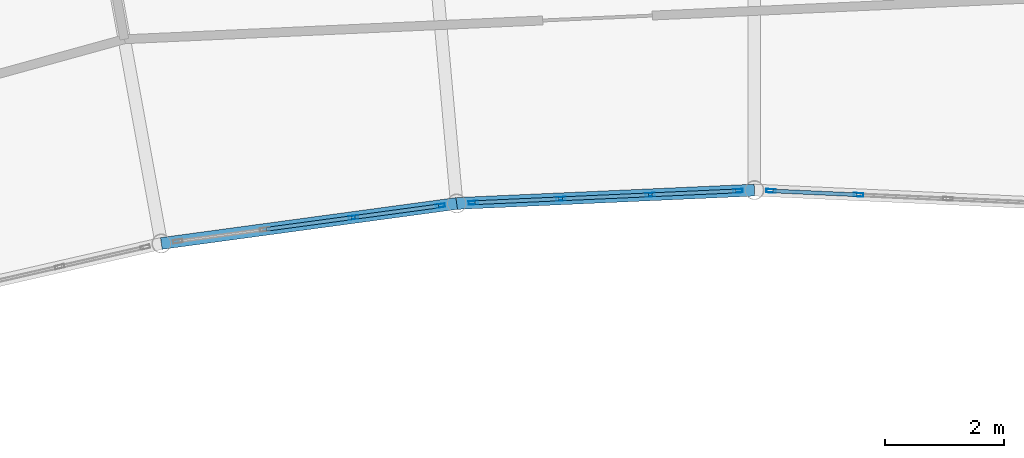
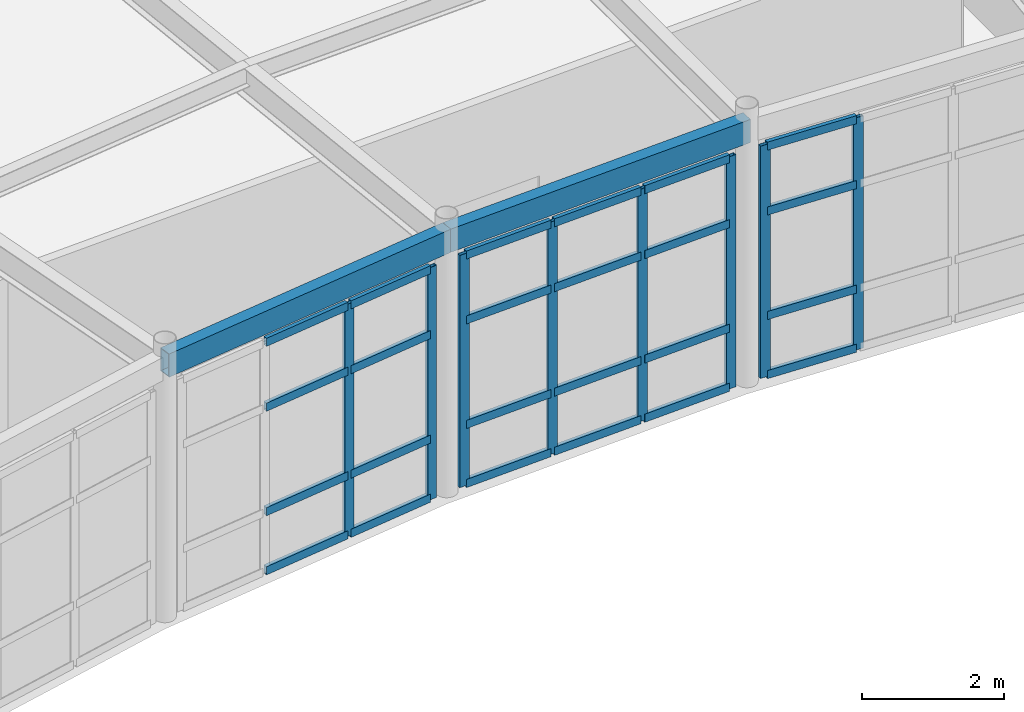
# One storey, part 71 of 116: 32 members, 2 beams, 3 elements without a shape of their own.
"""IFC4 building model written with IfcOpenShell, lengths in metres."""

from ifc_helpers import new_model, si_unit, direction, frame, origin, origin_2d, place, context, subcontext, project, spatial, hollow_rectangle, extrude, material, layer, layer_set, material_profile, profile_set, type_object, element, aggregate, save


model = new_model("IFC4")

# Units and contexts
model_context = context("Model", 3, precision=1e-05, world=origin(), true_north=direction((0.0, 1.0)))
body_context = subcontext(model_context, "Body", "Model", "MODEL_VIEW")
ifc_project = project(units=[si_unit("LENGTHUNIT", "METRE"), si_unit("AREAUNIT", "SQUARE_METRE"), si_unit("VOLUMEUNIT", "CUBIC_METRE"), si_unit("PLANEANGLEUNIT", "RADIAN"), si_unit("MASSUNIT", "GRAM", prefix="KILO")], contexts=[model_context])

# Site, building, storey
site_placement = place(None, origin())
site = spatial("IfcSite", under=ifc_project, at=site_placement, CompositionType="ELEMENT")
building_placement = place(site_placement, origin())
building = spatial("IfcBuilding", under=site, at=building_placement, Name="Selat Folded Stagehouse", CompositionType="ELEMENT")
storey_placement = place(building_placement, frame((0.0, 0.0, 5.39990234375)))
storey = spatial("IfcBuildingStorey", under=building, at=storey_placement, Name="L01", CompositionType="ELEMENT", Elevation=5.39990234375)

# Curtain wall, members
ifc_material_1 = material(Name="Aluminium 6063-T6", Category="aluminium")
ifc_layer = layer(ifc_material_1, 0.18994140625)
ifc_layer_set = layer_set([ifc_layer], Name="Aluminium 6063-T6")
curtain_wall_type = type_object("IfcCurtainWallType", Name="CW-REH-ARC", PredefinedType="NOTDEFINED", material=ifc_layer_set)
curtain_wall_1_placement = place(storey_placement, origin())
curtain_wall_1 = element("IfcCurtainWall", 1, at=curtain_wall_1_placement, inside=storey, type_object=curtain_wall_type, Name="L01 curtain wall CW-REH-L01-05", PredefinedType="NOTDEFINED")
ifc_material_profile_1 = material_profile(ifc_material_1, hollow_rectangle(XDim=0.06005859375, YDim=0.159912109375, WallThickness=0.00390625, at=origin_2d()), Name="ALU 160x60x4.0")
ifc_profile_set_1 = profile_set([ifc_material_profile_1], Name="Aluminium 6063-T6")
member_type_1 = type_object("IfcMemberType", Name="CWM-MUL-160x60", PredefinedType="MULLION", material=ifc_profile_set_1)
member_1_placement = place(storey_placement, frame((87.102783203125, 93.737060546875, 0.0), z_axis=(0.0, 0.0, 1.0), x_axis=(0.134211766018, -0.990952673876, 0.0)))
member_1 = element("IfcMember", 2, at=member_1_placement, type_object=member_type_1, Name="CW-06 mullion 1", PredefinedType="MULLION", context=body_context, shape_type="SweptSolid", body=[
    extrude(hollow_rectangle(XDim=0.06005859375, YDim=0.159912109375, WallThickness=0.00390625, at=origin_2d()), origin(), (0.0, 0.0, 1.0), 4.0),
])
member_2_placement = place(storey_placement, frame((85.637939453125, 93.53857421875, 0.0), z_axis=(0.0, 0.0, 1.0), x_axis=(0.134211766018, -0.990952673876, 0.0)))
member_2 = element("IfcMember", 3, at=member_2_placement, type_object=member_type_1, Name="CW-06 mullion 2", PredefinedType="MULLION", context=body_context, shape_type="SweptSolid", body=[
    extrude(hollow_rectangle(XDim=0.06005859375, YDim=0.159912109375, WallThickness=0.00390625, at=origin_2d()), origin(), (0.0, 0.0, 1.0), 4.0),
])

curtain_wall_2_placement = place(storey_placement, origin())
curtain_wall_2 = element("IfcCurtainWall", 4, at=curtain_wall_2_placement, inside=storey, type_object=curtain_wall_type, Name="L01 curtain wall CW-REH-L01-06", PredefinedType="NOTDEFINED")
member_3_placement = place(storey_placement, frame((92.120361328125, 93.987548828125, 0.0), z_axis=(0.0, 0.0, 1.0), x_axis=(0.044862316478, -0.998993179436, 0.0)))
member_3 = element("IfcMember", 5, at=member_3_placement, type_object=member_type_1, Name="CW-06 mullion 1", PredefinedType="MULLION", context=body_context, shape_type="SweptSolid", body=[
    extrude(hollow_rectangle(XDim=0.06005859375, YDim=0.159912109375, WallThickness=0.00390625, at=origin_2d()), origin(), (0.0, 0.0, 1.0), 4.0),
])
member_4_placement = place(storey_placement, frame((90.6435546875, 93.921142578125, 0.0), z_axis=(0.0, 0.0, 1.0), x_axis=(0.044862316478, -0.998993179436, 0.0)))
member_4 = element("IfcMember", 6, at=member_4_placement, type_object=member_type_1, Name="CW-06 mullion 2", PredefinedType="MULLION", context=body_context, shape_type="SweptSolid", body=[
    extrude(hollow_rectangle(XDim=0.06005859375, YDim=0.159912109375, WallThickness=0.00390625, at=origin_2d()), origin(), (0.0, 0.0, 1.0), 4.0),
])
member_5_placement = place(storey_placement, frame((89.13671875, 93.853515625, 0.0), z_axis=(0.0, 0.0, 1.0), x_axis=(0.044862316478, -0.998993179436, 0.0)))
member_5 = element("IfcMember", 7, at=member_5_placement, type_object=member_type_1, Name="CW-06 mullion 3", PredefinedType="MULLION", context=body_context, shape_type="SweptSolid", body=[
    extrude(hollow_rectangle(XDim=0.06005859375, YDim=0.159912109375, WallThickness=0.00390625, at=origin_2d()), origin(), (0.0, 0.0, 1.0), 4.0),
])
member_6_placement = place(storey_placement, frame((87.659912109375, 93.787109375, 0.0), z_axis=(0.0, 0.0, 1.0), x_axis=(0.044862316478, -0.998993179436, 0.0)))
member_6 = element("IfcMember", 8, at=member_6_placement, type_object=member_type_1, Name="CW-06 mullion 4", PredefinedType="MULLION", context=body_context, shape_type="SweptSolid", body=[
    extrude(hollow_rectangle(XDim=0.06005859375, YDim=0.159912109375, WallThickness=0.00390625, at=origin_2d()), origin(), (0.0, 0.0, 1.0), 4.0),
])

curtain_wall_3_placement = place(storey_placement, origin())
curtain_wall_3 = element("IfcCurtainWall", 9, at=curtain_wall_3_placement, inside=storey, type_object=curtain_wall_type, Name="L01 curtain wall CW-REH-L01-07", PredefinedType="NOTDEFINED")
member_7_placement = place(storey_placement, frame((94.156494140625, 93.921142578125, 0.0), z_axis=(0.0, 0.0, 1.0), x_axis=(-0.044862316478, -0.998993179436, 0.0)))
member_7 = element("IfcMember", 10, at=member_7_placement, type_object=member_type_1, Name="CW-06 mullion 3", PredefinedType="MULLION", context=body_context, shape_type="SweptSolid", body=[
    extrude(hollow_rectangle(XDim=0.06005859375, YDim=0.159912109375, WallThickness=0.00390625, at=origin_2d()), origin(), (0.0, 0.0, 1.0), 4.0),
])
member_8_placement = place(storey_placement, frame((92.6796875, 93.987548828125, 0.0), z_axis=(0.0, 0.0, 1.0), x_axis=(-0.044862316478, -0.998993179436, 0.0)))
member_8 = element("IfcMember", 11, at=member_8_placement, type_object=member_type_1, Name="CW-06 mullion 4", PredefinedType="MULLION", context=body_context, shape_type="SweptSolid", body=[
    extrude(hollow_rectangle(XDim=0.06005859375, YDim=0.159912109375, WallThickness=0.00390625, at=origin_2d()), origin(), (0.0, 0.0, 1.0), 4.0),
])

# Member
ifc_material_profile_2 = material_profile(ifc_material_1, hollow_rectangle(XDim=0.06494140625, YDim=0.139892578125, WallThickness=0.00390625, at=origin_2d()), Name="ALU 140x65x4.0")
ifc_profile_set_2 = profile_set([ifc_material_profile_2], Name="Aluminium 6063-T6")
member_type_2 = type_object("IfcMemberType", Name="CWM-TRN-140x65", PredefinedType="USERDEFINED", material=ifc_profile_set_2)
member_9_placement = place(storey_placement, frame((87.072998046875, 93.73291015625, 0.03271484375), z_axis=(-0.990946066769, -0.134260540573, 0.0), x_axis=(0.134260540573, -0.990946066769, 0.0)))
member_9 = element("IfcMember", 12, at=member_9_placement, type_object=member_type_2, Name="CW-06 transom 1.1", ObjectType="TRANSOM", PredefinedType="USERDEFINED", context=body_context, shape_type="SweptSolid", body=[
    extrude(hollow_rectangle(XDim=0.06494140625, YDim=0.139892578125, WallThickness=0.00390625, at=origin_2d()), origin(), (0.0, 0.0, 1.0), 1.41845703125),
])

member_10_placement = place(storey_placement, frame((87.072998046875, 93.73291015625, 1.050048828125), z_axis=(-0.990946066769, -0.134260540573, 0.0), x_axis=(0.134260540573, -0.990946066769, 0.0)))
member_10 = element("IfcMember", 13, at=member_10_placement, type_object=member_type_2, Name="CW-06 transom 1.2", ObjectType="TRANSOM", PredefinedType="USERDEFINED", context=body_context, shape_type="SweptSolid", body=[
    extrude(hollow_rectangle(XDim=0.06494140625, YDim=0.139892578125, WallThickness=0.00390625, at=origin_2d()), origin(), (0.0, 0.0, 1.0), 1.41845703125),
])

member_11_placement = place(storey_placement, frame((87.072998046875, 93.73291015625, 2.85009765625), z_axis=(-0.990946066769, -0.134260540573, 0.0), x_axis=(0.134260540573, -0.990946066769, 0.0)))
member_11 = element("IfcMember", 14, at=member_11_placement, type_object=member_type_2, Name="CW-06 transom 1.3", ObjectType="TRANSOM", PredefinedType="USERDEFINED", context=body_context, shape_type="SweptSolid", body=[
    extrude(hollow_rectangle(XDim=0.06494140625, YDim=0.139892578125, WallThickness=0.00390625, at=origin_2d()), origin(), (0.0, 0.0, 1.0), 1.41845703125),
])

member_12_placement = place(storey_placement, frame((87.072998046875, 93.73291015625, 3.967529296875), z_axis=(-0.990946066769, -0.134260540573, 0.0), x_axis=(0.134260540573, -0.990946066769, 0.0)))
member_12 = element("IfcMember", 15, at=member_12_placement, type_object=member_type_2, Name="CW-06 transom 1.4", ObjectType="TRANSOM", PredefinedType="USERDEFINED", context=body_context, shape_type="SweptSolid", body=[
    extrude(hollow_rectangle(XDim=0.06494140625, YDim=0.139892578125, WallThickness=0.00390625, at=origin_2d()), origin(), (0.0, 0.0, 1.0), 1.41845703125),
])

member_13_placement = place(storey_placement, frame((85.608154296875, 93.534423828125, 0.03271484375), z_axis=(-0.990957936125, -0.134172906473, 0.0), x_axis=(0.134172906473, -0.990957936125, 0.0)))
member_13 = element("IfcMember", 16, at=member_13_placement, type_object=member_type_2, Name="CW-06 transom 2.1", ObjectType="TRANSOM", PredefinedType="USERDEFINED", context=body_context, shape_type="SweptSolid", body=[
    extrude(hollow_rectangle(XDim=0.06494140625, YDim=0.139892578125, WallThickness=0.00390625, at=origin_2d()), origin(), (0.0, 0.0, 1.0), 1.448486328125),
])

member_14_placement = place(storey_placement, frame((85.608154296875, 93.534423828125, 1.050048828125), z_axis=(-0.990957936125, -0.134172906473, 0.0), x_axis=(0.134172906473, -0.990957936125, 0.0)))
member_14 = element("IfcMember", 17, at=member_14_placement, type_object=member_type_2, Name="CW-06 transom 2.2", ObjectType="TRANSOM", PredefinedType="USERDEFINED", context=body_context, shape_type="SweptSolid", body=[
    extrude(hollow_rectangle(XDim=0.06494140625, YDim=0.139892578125, WallThickness=0.00390625, at=origin_2d()), origin(), (0.0, 0.0, 1.0), 1.448486328125),
])

member_15_placement = place(storey_placement, frame((85.608154296875, 93.534423828125, 2.85009765625), z_axis=(-0.990957936125, -0.134172906473, 0.0), x_axis=(0.134172906473, -0.990957936125, 0.0)))
member_15 = element("IfcMember", 18, at=member_15_placement, type_object=member_type_2, Name="CW-06 transom 2.3", ObjectType="TRANSOM", PredefinedType="USERDEFINED", context=body_context, shape_type="SweptSolid", body=[
    extrude(hollow_rectangle(XDim=0.06494140625, YDim=0.139892578125, WallThickness=0.00390625, at=origin_2d()), origin(), (0.0, 0.0, 1.0), 1.448486328125),
])

member_16_placement = place(storey_placement, frame((85.608154296875, 93.534423828125, 3.967529296875), z_axis=(-0.990957936125, -0.134172906473, 0.0), x_axis=(0.134172906473, -0.990957936125, 0.0)))
member_16 = element("IfcMember", 19, at=member_16_placement, type_object=member_type_2, Name="CW-06 transom 2.4", ObjectType="TRANSOM", PredefinedType="USERDEFINED", context=body_context, shape_type="SweptSolid", body=[
    extrude(hollow_rectangle(XDim=0.06494140625, YDim=0.139892578125, WallThickness=0.00390625, at=origin_2d()), origin(), (0.0, 0.0, 1.0), 1.448486328125),
])

aggregate(curtain_wall_1, [member_1, member_2, member_9, member_10, member_11, member_12, member_13, member_14, member_15, member_16])

member_17_placement = place(storey_placement, frame((92.09033203125, 93.986083984375, 0.03271484375), z_axis=(-0.998990078576, -0.044931313202, 0.0), x_axis=(0.044931313202, -0.998990078576, 0.0)))
member_17 = element("IfcMember", 20, at=member_17_placement, type_object=member_type_2, Name="CW-06 transom 1.1", ObjectType="TRANSOM", PredefinedType="USERDEFINED", context=body_context, shape_type="SweptSolid", body=[
    extrude(hollow_rectangle(XDim=0.06494140625, YDim=0.139892578125, WallThickness=0.00390625, at=origin_2d()), origin(), (0.0, 0.0, 1.0), 1.418212890625),
])

member_18_placement = place(storey_placement, frame((92.09033203125, 93.986083984375, 1.050048828125), z_axis=(-0.998990078576, -0.044931313202, 0.0), x_axis=(0.044931313202, -0.998990078576, 0.0)))
member_18 = element("IfcMember", 21, at=member_18_placement, type_object=member_type_2, Name="CW-06 transom 1.2", ObjectType="TRANSOM", PredefinedType="USERDEFINED", context=body_context, shape_type="SweptSolid", body=[
    extrude(hollow_rectangle(XDim=0.06494140625, YDim=0.139892578125, WallThickness=0.00390625, at=origin_2d()), origin(), (0.0, 0.0, 1.0), 1.418212890625),
])

member_19_placement = place(storey_placement, frame((92.09033203125, 93.986083984375, 2.85009765625), z_axis=(-0.998990078576, -0.044931313202, 0.0), x_axis=(0.044931313202, -0.998990078576, 0.0)))
member_19 = element("IfcMember", 22, at=member_19_placement, type_object=member_type_2, Name="CW-06 transom 1.3", ObjectType="TRANSOM", PredefinedType="USERDEFINED", context=body_context, shape_type="SweptSolid", body=[
    extrude(hollow_rectangle(XDim=0.06494140625, YDim=0.139892578125, WallThickness=0.00390625, at=origin_2d()), origin(), (0.0, 0.0, 1.0), 1.418212890625),
])

member_20_placement = place(storey_placement, frame((92.09033203125, 93.986083984375, 3.967529296875), z_axis=(-0.998990078576, -0.044931313202, 0.0), x_axis=(0.044931313202, -0.998990078576, 0.0)))
member_20 = element("IfcMember", 23, at=member_20_placement, type_object=member_type_2, Name="CW-06 transom 1.4", ObjectType="TRANSOM", PredefinedType="USERDEFINED", context=body_context, shape_type="SweptSolid", body=[
    extrude(hollow_rectangle(XDim=0.06494140625, YDim=0.139892578125, WallThickness=0.00390625, at=origin_2d()), origin(), (0.0, 0.0, 1.0), 1.418212890625),
])

member_21_placement = place(storey_placement, frame((90.613525390625, 93.919677734375, 0.03271484375), z_axis=(-0.998994101144, -0.044841787193, 0.0), x_axis=(0.044841787193, -0.998994101144, 0.0)))
member_21 = element("IfcMember", 24, at=member_21_placement, type_object=member_type_2, Name="CW-06 transom 2.1", ObjectType="TRANSOM", PredefinedType="USERDEFINED", context=body_context, shape_type="SweptSolid", body=[
    extrude(hollow_rectangle(XDim=0.06494140625, YDim=0.139892578125, WallThickness=0.00390625, at=origin_2d()), origin(), (0.0, 0.0, 1.0), 1.4482421875),
])

member_22_placement = place(storey_placement, frame((90.613525390625, 93.919677734375, 1.050048828125), z_axis=(-0.998994101144, -0.044841787193, 0.0), x_axis=(0.044841787193, -0.998994101144, 0.0)))
member_22 = element("IfcMember", 25, at=member_22_placement, type_object=member_type_2, Name="CW-06 transom 2.2", ObjectType="TRANSOM", PredefinedType="USERDEFINED", context=body_context, shape_type="SweptSolid", body=[
    extrude(hollow_rectangle(XDim=0.06494140625, YDim=0.139892578125, WallThickness=0.00390625, at=origin_2d()), origin(), (0.0, 0.0, 1.0), 1.4482421875),
])

member_23_placement = place(storey_placement, frame((90.613525390625, 93.919677734375, 2.85009765625), z_axis=(-0.998994101144, -0.044841787193, 0.0), x_axis=(0.044841787193, -0.998994101144, 0.0)))
member_23 = element("IfcMember", 26, at=member_23_placement, type_object=member_type_2, Name="CW-06 transom 2.3", ObjectType="TRANSOM", PredefinedType="USERDEFINED", context=body_context, shape_type="SweptSolid", body=[
    extrude(hollow_rectangle(XDim=0.06494140625, YDim=0.139892578125, WallThickness=0.00390625, at=origin_2d()), origin(), (0.0, 0.0, 1.0), 1.4482421875),
])

member_24_placement = place(storey_placement, frame((90.613525390625, 93.919677734375, 3.967529296875), z_axis=(-0.998994101144, -0.044841787193, 0.0), x_axis=(0.044841787193, -0.998994101144, 0.0)))
member_24 = element("IfcMember", 27, at=member_24_placement, type_object=member_type_2, Name="CW-06 transom 2.4", ObjectType="TRANSOM", PredefinedType="USERDEFINED", context=body_context, shape_type="SweptSolid", body=[
    extrude(hollow_rectangle(XDim=0.06494140625, YDim=0.139892578125, WallThickness=0.00390625, at=origin_2d()), origin(), (0.0, 0.0, 1.0), 1.4482421875),
])

member_25_placement = place(storey_placement, frame((89.106689453125, 93.85205078125, 0.03271484375), z_axis=(-0.998997791005, -0.044759508127, 0.0), x_axis=(0.044759508127, -0.998997791005, 0.0)))
member_25 = element("IfcMember", 28, at=member_25_placement, type_object=member_type_2, Name="CW-06 transom 3.1", ObjectType="TRANSOM", PredefinedType="USERDEFINED", context=body_context, shape_type="SweptSolid", body=[
    extrude(hollow_rectangle(XDim=0.06494140625, YDim=0.139892578125, WallThickness=0.00390625, at=origin_2d()), origin(), (0.0, 0.0, 1.0), 1.418212890625),
])

member_26_placement = place(storey_placement, frame((89.106689453125, 93.85205078125, 1.050048828125), z_axis=(-0.998997791005, -0.044759508127, 0.0), x_axis=(0.044759508127, -0.998997791005, 0.0)))
member_26 = element("IfcMember", 29, at=member_26_placement, type_object=member_type_2, Name="CW-06 transom 3.2", ObjectType="TRANSOM", PredefinedType="USERDEFINED", context=body_context, shape_type="SweptSolid", body=[
    extrude(hollow_rectangle(XDim=0.06494140625, YDim=0.139892578125, WallThickness=0.00390625, at=origin_2d()), origin(), (0.0, 0.0, 1.0), 1.418212890625),
])

member_27_placement = place(storey_placement, frame((89.106689453125, 93.85205078125, 2.85009765625), z_axis=(-0.998997791005, -0.044759508127, 0.0), x_axis=(0.044759508127, -0.998997791005, 0.0)))
member_27 = element("IfcMember", 30, at=member_27_placement, type_object=member_type_2, Name="CW-06 transom 3.3", ObjectType="TRANSOM", PredefinedType="USERDEFINED", context=body_context, shape_type="SweptSolid", body=[
    extrude(hollow_rectangle(XDim=0.06494140625, YDim=0.139892578125, WallThickness=0.00390625, at=origin_2d()), origin(), (0.0, 0.0, 1.0), 1.418212890625),
])

member_28_placement = place(storey_placement, frame((89.106689453125, 93.85205078125, 3.967529296875), z_axis=(-0.998997791005, -0.044759508127, 0.0), x_axis=(0.044759508127, -0.998997791005, 0.0)))
member_28 = element("IfcMember", 31, at=member_28_placement, type_object=member_type_2, Name="CW-06 transom 3.4", ObjectType="TRANSOM", PredefinedType="USERDEFINED", context=body_context, shape_type="SweptSolid", body=[
    extrude(hollow_rectangle(XDim=0.06494140625, YDim=0.139892578125, WallThickness=0.00390625, at=origin_2d()), origin(), (0.0, 0.0, 1.0), 1.418212890625),
])

aggregate(curtain_wall_2, [member_3, member_4, member_5, member_6, member_17, member_18, member_19, member_20, member_21, member_22, member_23, member_24, member_25, member_26, member_27, member_28])

member_29_placement = place(storey_placement, frame((94.12646484375, 93.92236328125, 0.03271484375), z_axis=(-0.998990078576, 0.044931313202, 0.0), x_axis=(-0.044931313202, -0.998990078576, 0.0)))
member_29 = element("IfcMember", 32, at=member_29_placement, type_object=member_type_2, Name="CW-06 transom 3.1", ObjectType="TRANSOM", PredefinedType="USERDEFINED", context=body_context, shape_type="SweptSolid", body=[
    extrude(hollow_rectangle(XDim=0.06494140625, YDim=0.139892578125, WallThickness=0.00390625, at=origin_2d()), origin(), (0.0, 0.0, 1.0), 1.418212890625),
])

member_30_placement = place(storey_placement, frame((94.12646484375, 93.92236328125, 1.050048828125), z_axis=(-0.998990078576, 0.044931313202, 0.0), x_axis=(-0.044931313202, -0.998990078576, 0.0)))
member_30 = element("IfcMember", 33, at=member_30_placement, type_object=member_type_2, Name="CW-06 transom 3.2", ObjectType="TRANSOM", PredefinedType="USERDEFINED", context=body_context, shape_type="SweptSolid", body=[
    extrude(hollow_rectangle(XDim=0.06494140625, YDim=0.139892578125, WallThickness=0.00390625, at=origin_2d()), origin(), (0.0, 0.0, 1.0), 1.418212890625),
])

member_31_placement = place(storey_placement, frame((94.12646484375, 93.92236328125, 2.85009765625), z_axis=(-0.998990078576, 0.044931313202, 0.0), x_axis=(-0.044931313202, -0.998990078576, 0.0)))
member_31 = element("IfcMember", 34, at=member_31_placement, type_object=member_type_2, Name="CW-06 transom 3.3", ObjectType="TRANSOM", PredefinedType="USERDEFINED", context=body_context, shape_type="SweptSolid", body=[
    extrude(hollow_rectangle(XDim=0.06494140625, YDim=0.139892578125, WallThickness=0.00390625, at=origin_2d()), origin(), (0.0, 0.0, 1.0), 1.418212890625),
])

member_32_placement = place(storey_placement, frame((94.12646484375, 93.92236328125, 3.967529296875), z_axis=(-0.998990078576, 0.044931313202, 0.0), x_axis=(-0.044931313202, -0.998990078576, 0.0)))
member_32 = element("IfcMember", 35, at=member_32_placement, type_object=member_type_2, Name="CW-06 transom 3.4", ObjectType="TRANSOM", PredefinedType="USERDEFINED", context=body_context, shape_type="SweptSolid", body=[
    extrude(hollow_rectangle(XDim=0.06494140625, YDim=0.139892578125, WallThickness=0.00390625, at=origin_2d()), origin(), (0.0, 0.0, 1.0), 1.418212890625),
])

aggregate(curtain_wall_3, [member_7, member_8, member_29, member_30, member_31, member_32])

# Beams
ifc_material_2 = material(Name="Steel S355", Category="steel")
ifc_material_profile_3 = material_profile(ifc_material_2, hollow_rectangle(XDim=0.199951171875, YDim=0.39990234375, WallThickness=0.012451171875, at=origin_2d()), Name="RHS 400x200x12.5")
ifc_profile_set_3 = profile_set([ifc_material_profile_3], Name="Steel S355")
beam_type = type_object("IfcBeamType", Name="SPD-EXT-400x200", PredefinedType="SPANDREL", material=ifc_profile_set_3)
beam_1_placement = place(storey_placement, frame((82.40087890625, 93.10009765625, 4.3701171875), z_axis=(0.9909477611, 0.134248034514, 0.0), x_axis=(-0.134248034514, 0.9909477611, 0.0)))
element("IfcBeam", 36, at=beam_1_placement, inside=storey, type_object=beam_type, Name="L01 inner curved rehearsal spandrel 6", PredefinedType="SPANDREL", context=body_context, shape_type="SweptSolid", body=[
    extrude(hollow_rectangle(XDim=0.199951171875, YDim=0.39990234375, WallThickness=0.012451171875, at=origin_2d()), origin(), (0.0, 0.0, 1.0), 5.024658203125),
])
beam_2_placement = place(storey_placement, frame((87.380126953125, 93.774658203125, 4.3701171875), z_axis=(0.998993927779, 0.044845649304, 0.0), x_axis=(-0.044845649304, 0.998993927779, 0.0)))
element("IfcBeam", 37, at=beam_2_placement, inside=storey, type_object=beam_type, Name="L01 inner curved rehearsal spandrel 7", PredefinedType="SPANDREL", context=body_context, shape_type="SweptSolid", body=[
    extrude(hollow_rectangle(XDim=0.199951171875, YDim=0.39990234375, WallThickness=0.012451171875, at=origin_2d()), origin(), (0.0, 0.0, 1.0), 5.02490234375),
])

save(model, "model.ifc")
